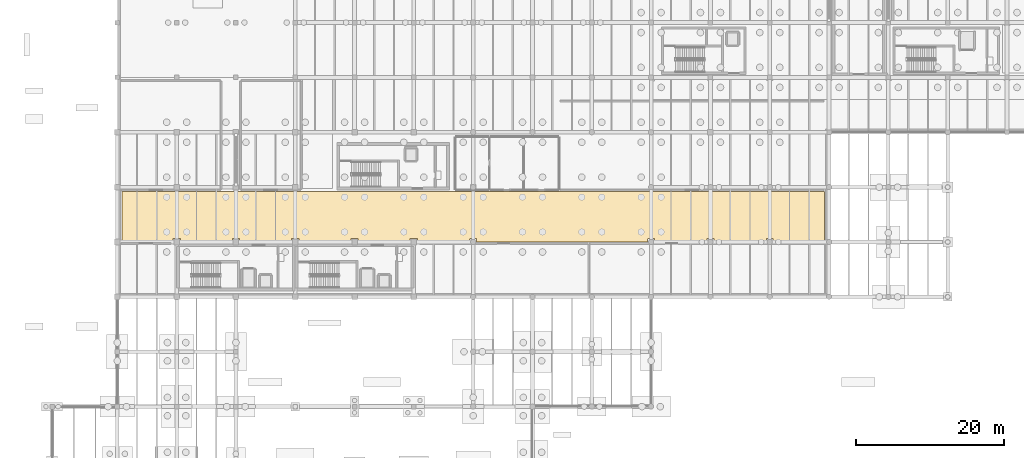
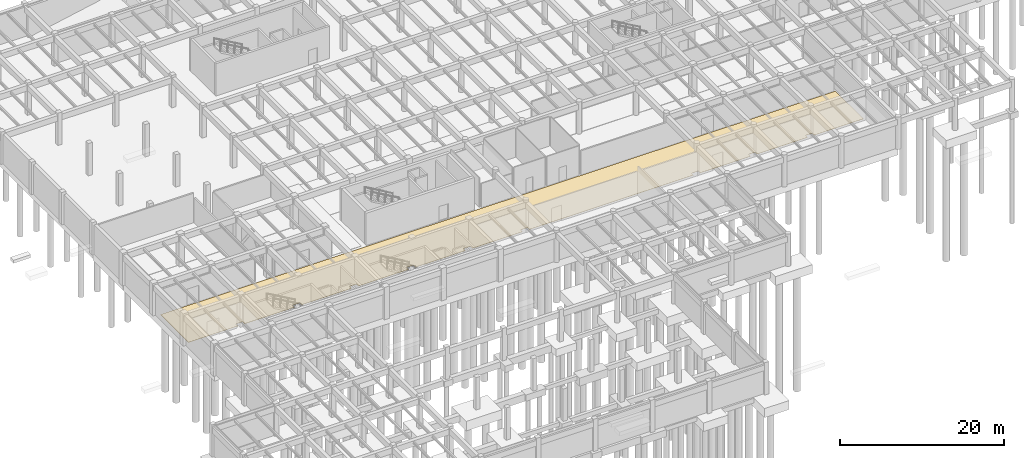
# One storey, part 30 of 40: 1 covering.
"""IFC4 building model written with IfcOpenShell, lengths in metres."""

import ifcopenshell
import ifcopenshell.guid

model = None  # the IFC model being written
_history = None  # IfcOwnerHistory: only IFC2X3 demands one
_inside = {}  # id of a spatial element -> (the spatial element, [elements in it])
_under = {}  # id of a project, library or spatial element -> (it, [spatial elements below it])
_declared = {}  # id of a project -> (the project, [libraries it declares])
_typed = {}  # id of a type object -> (the type object, [elements of that type])
_made_of = {}  # id of a material, layer set ... -> (it, [elements and type objects made of it])


def new_model(schema):
    """Start an empty IFC model of exactly this schema.

    Asked for "IFC4X3", IfcOpenShell would pick the latest addendum, in which some entities
    have other attributes; the version numbers below select the first issue.
    IFC2X3 requires an IfcOwnerHistory on every rooted entity: one is made here for all.
    """
    global model, _history
    if schema == "IFC4X3":
        model = ifcopenshell.file(schema_version=(4, 3, 0, 0))
    else:
        model = ifcopenshell.file(schema=schema)
    _inside.clear()
    _under.clear()
    _declared.clear()
    _typed.clear()
    _made_of.clear()
    _history = None
    if model.schema == "IFC2X3":
        org = make("IfcOrganization", Name="unknown")
        user = make(
            "IfcPersonAndOrganization",
            ThePerson=make("IfcPerson", FamilyName="unknown"),
            TheOrganization=org,
        )
        app = make(
            "IfcApplication",
            ApplicationDeveloper=org,
            Version="unknown",
            ApplicationFullName="unknown",
            ApplicationIdentifier="unknown",
        )
        _history = make(
            "IfcOwnerHistory",
            OwningUser=user,
            OwningApplication=app,
            ChangeAction="ADDED",
            CreationDate=0,
        )
    return model


def make(cls, **values):
    """One entity of the class cls with the attributes given. An attribute that is None is left unset."""
    return model.create_entity(
        cls, **{name: value for name, value in values.items() if value is not None}
    )


def rooted(cls, **values):
    """An entity with a GlobalId (a new one), such as an element, a storey or a relation."""
    return make(cls, GlobalId=ifcopenshell.guid.new(), OwnerHistory=_history, **values)


def si_unit(unit_type, name, prefix=None):
    """IfcSIUnit, for example si_unit("LENGTHUNIT", "METRE", prefix="MILLI")."""
    return make("IfcSIUnit", UnitType=unit_type, Prefix=prefix, Name=name)


def assignment(units):
    """IfcUnitAssignment: the units of a project."""
    return None if units is None else make("IfcUnitAssignment", Units=units)


def point(xyz):
    """IfcCartesianPoint."""
    return None if xyz is None else make("IfcCartesianPoint", Coordinates=xyz)


def direction(xyz):
    """IfcDirection."""
    return None if xyz is None else make("IfcDirection", DirectionRatios=xyz)


def frame(location, z_axis=None, x_axis=None):
    """IfcAxis2Placement3D, a coordinate frame: its origin and axes. An axis left out is left unset."""
    return make(
        "IfcAxis2Placement3D",
        Location=point(location),
        Axis=direction(z_axis),
        RefDirection=direction(x_axis),
    )


def origin():
    """The frame at (0, 0, 0) with its axes left unset."""
    return frame((0.0, 0.0, 0.0))


def place(relative_to, where):
    """IfcLocalPlacement: puts the frame where relative to a parent placement (None: the world)."""
    return make(
        "IfcLocalPlacement", PlacementRelTo=relative_to, RelativePlacement=where
    )


def context(
    kind, dimensions, precision=None, world=None, true_north=None, identifier=None
):
    """IfcGeometricRepresentationContext, for example the 3D "Model" context."""
    return make(
        "IfcGeometricRepresentationContext",
        ContextIdentifier=identifier,
        ContextType=kind,
        CoordinateSpaceDimension=dimensions,
        Precision=precision,
        WorldCoordinateSystem=world,
        TrueNorth=true_north,
    )


def subcontext(parent, identifier, kind, view, scale=None):
    """IfcGeometricRepresentationSubContext, for example "Body" below "Model"."""
    return make(
        "IfcGeometricRepresentationSubContext",
        ContextIdentifier=identifier,
        ContextType=kind,
        ParentContext=parent,
        TargetScale=scale,
        TargetView=view,
    )


def project(units=None, contexts=None):
    """IfcProject with its units and contexts."""
    return rooted(
        "IfcProject",
        Name="project",
        RepresentationContexts=contexts,
        UnitsInContext=assignment(units),
    )


def spatial(cls, under=None, at=None, **own):
    """A site, building, storey or space (cls), placed at a placement, below another one or the project."""
    s = rooted(cls, ObjectPlacement=at, **own)
    if under is not None:
        _under.setdefault(under.id(), (under, []))[1].append(s)
    return s


def polyline(points):
    """IfcPolyline through the points."""
    return make("IfcPolyline", Points=[point(p) for p in points])


def outline(outer, holes=None, kind="AREA"):
    """IfcArbitraryClosedProfileDef: a profile drawn as a closed curve; with holes, ...WithVoids."""
    if holes is None:
        return make("IfcArbitraryClosedProfileDef", ProfileType=kind, OuterCurve=outer)
    return make(
        "IfcArbitraryProfileDefWithVoids",
        ProfileType=kind,
        OuterCurve=outer,
        InnerCurves=holes,
    )


def extrude(swept, where, along, depth):
    """IfcExtrudedAreaSolid: the profile swept, set in the frame where, extruded along a direction by depth."""
    return make(
        "IfcExtrudedAreaSolid",
        SweptArea=swept,
        Position=where,
        ExtrudedDirection=direction(along),
        Depth=depth,
    )


def shape(context_of_items, identifier, shape_type, items):
    """IfcShapeRepresentation: the items that make up one representation, for example the "Body"."""
    return make(
        "IfcShapeRepresentation",
        ContextOfItems=context_of_items,
        RepresentationIdentifier=identifier,
        RepresentationType=shape_type,
        Items=items,
    )


def material(Name=None, Category=None):
    """IfcMaterial."""
    return make("IfcMaterial", Name=Name, Category=Category)


def layer(
    of_material, thickness, ventilated=None, Name=None, Category=None, Priority=None
):
    """IfcMaterialLayer: one layer of a wall or slab, of a material (None: an air gap)."""
    return make(
        "IfcMaterialLayer",
        Material=of_material,
        LayerThickness=thickness,
        IsVentilated=ventilated,
        Name=Name,
        Category=Category,
        Priority=Priority,
    )


def layer_set(layers, Name=None):
    """IfcMaterialLayerSet."""
    return make("IfcMaterialLayerSet", MaterialLayers=layers, LayerSetName=Name)


def made_of(thing, what):
    """Note that an element or type object is made of a material, layer set ...; save() writes the relation."""
    if what is not None:
        _made_of.setdefault(what.id(), (what, []))[1].append(thing)
    return thing


def type_object(cls, material=None, **own):
    """A type object (cls), such as IfcWallType, which elements share."""
    return made_of(rooted(cls, **own), material)


def element(
    cls,
    number,
    at=None,
    inside=None,
    cuts=None,
    type_object=None,
    material=None,
    context=None,
    identifier="Body",
    shape_type=None,
    held_by="IfcProductDefinitionShape",
    body=None,
    shapes=None,
    **own,
):
    """One element of the class cls, such as IfcWall. Its Tag is "e" and its number.

    at: its placement. inside: the storey or other place that contains it. cuts: it is an
    opening in that element (IfcRelVoidsElement). A single representation is given by context,
    identifier, shape_type and body (its items); several are given by shapes. held_by: the class
    of the entity that holds the representations. save() writes the other relations.
    """
    e = rooted(cls, Tag="e%d" % number, ObjectPlacement=at, **own)
    if body is not None:
        shapes = [shape(context, identifier, shape_type, body)]
    if shapes is not None:
        e.Representation = make(held_by, Representations=shapes)
    if inside is not None:
        _inside.setdefault(inside.id(), (inside, []))[1].append(e)
    if cuts is not None:
        rooted(
            "IfcRelVoidsElement", RelatingBuildingElement=cuts, RelatedOpeningElement=e
        )
    if type_object is not None:
        _typed.setdefault(type_object.id(), (type_object, []))[1].append(e)
    return made_of(e, material)


def aggregate(whole, parts):
    """IfcRelAggregates: a whole, such as a stair, and the parts it consists of."""
    return rooted("IfcRelAggregates", RelatingObject=whole, RelatedObjects=parts)


def save(model, path):
    """Write the relations noted so far, then the file.

    IfcRelAggregates (storeys below a building ...), IfcRelContainedInSpatialStructure (elements
    in a storey), IfcRelDefinesByType, IfcRelAssociatesMaterial and IfcRelDeclares: one each for
    every whole, place, type object, material and project.
    """
    for whole, parts in _under.values():
        aggregate(whole, parts)
    for where, things in _inside.values():
        rooted(
            "IfcRelContainedInSpatialStructure",
            RelatedElements=things,
            RelatingStructure=where,
        )
    for kind, things in _typed.values():
        rooted("IfcRelDefinesByType", RelatedObjects=things, RelatingType=kind)
    for what, things in _made_of.values():
        rooted("IfcRelAssociatesMaterial", RelatedObjects=things, RelatingMaterial=what)
    for by, libraries in _declared.values():
        rooted("IfcRelDeclares", RelatingContext=by, RelatedDefinitions=libraries)
    model.write(path)


model = new_model("IFC4")

# Units and contexts
model_context = context("Model", 3, precision=1e-05, world=origin(), true_north=direction((0.0, 1.0)))
body_context = subcontext(model_context, "Body", "Model", "MODEL_VIEW")
ifc_project = project(units=[si_unit("LENGTHUNIT", "METRE"), si_unit("AREAUNIT", "SQUARE_METRE"), si_unit("VOLUMEUNIT", "CUBIC_METRE"), si_unit("PLANEANGLEUNIT", "RADIAN"), si_unit("MASSUNIT", "GRAM", prefix="KILO")], contexts=[model_context])

# Site, building, storey
site_placement = place(None, origin())
site = spatial("IfcSite", under=ifc_project, at=site_placement, CompositionType="ELEMENT")
building_placement = place(site_placement, origin())
building = spatial("IfcBuilding", under=site, at=building_placement, Name="Valkorina Park Police Headquarters", CompositionType="ELEMENT")
storey_placement = place(building_placement, frame((0.0, 0.0, -4.800048828125)))
storey = spatial("IfcBuildingStorey", under=building, at=storey_placement, Name="B01", CompositionType="ELEMENT", Elevation=-4.800048828125)

# Covering
ifc_material = material(Name="Resin terrazzo flooring")
ifc_layer = layer(ifc_material, 0.030029296875)
ifc_layer_set = layer_set([ifc_layer], Name="Resin terrazzo flooring")
covering_type = type_object("IfcCoveringType", Name="COV-FLOOR-TERRAZZO", PredefinedType="FLOORING", material=ifc_layer_set)
covering_placement = place(storey_placement, origin())
element("IfcCovering", 1, at=covering_placement, inside=storey, type_object=covering_type, Name="Basement Spine Circulation Corridor Terrazzo Flooring", PredefinedType="FLOORING", context=body_context, shape_type="SweptSolid", body=[
    extrude(outline(polyline([(104.199951171875, 51.199951171875), (9.39990234375, 51.199951171875), (9.39990234375, 44.39990234375), (16.304931640625, 44.39990234375), (16.304931640625, 44.81494140625), (16.305419921875, 44.82275390625), (16.306396484375, 44.83056640625), (16.308349609375, 44.838134765625), (16.31103515625, 44.845703125), (16.314453125, 44.852783203125), (16.318603515625, 44.859375), (16.3232421875, 44.86572265625), (16.328369140625, 44.87158203125), (16.334228515625, 44.876708984375), (16.340576171875, 44.881591796875), (16.347412109375, 44.885498046875), (16.3544921875, 44.888916015625), (16.36181640625, 44.8916015625), (16.369384765625, 44.8935546875), (16.377197265625, 44.89453125), (16.385009765625, 44.89501953125), (17.215087890625, 44.89501953125), (17.222900390625, 44.89453125), (17.230712890625, 44.8935546875), (17.23828125, 44.8916015625), (17.24560546875, 44.888916015625), (17.252685546875, 44.885498046875), (17.259521484375, 44.881591796875), (17.265869140625, 44.876708984375), (17.271484375, 44.87158203125), (17.27685546875, 44.86572265625), (17.281494140625, 44.859375), (17.28564453125, 44.852783203125), (17.288818359375, 44.845703125), (17.29150390625, 44.838134765625), (17.29345703125, 44.83056640625), (17.294677734375, 44.82275390625), (17.294921875, 44.81494140625), (17.294921875, 44.39990234375), (24.304931640625, 44.39990234375), (24.304931640625, 44.81494140625), (24.305419921875, 44.82275390625), (24.306396484375, 44.83056640625), (24.308349609375, 44.838134765625), (24.31103515625, 44.845703125), (24.314453125, 44.852783203125), (24.318603515625, 44.859375), (24.3232421875, 44.86572265625), (24.328369140625, 44.87158203125), (24.334228515625, 44.876708984375), (24.340576171875, 44.881591796875), (24.347412109375, 44.885498046875), (24.3544921875, 44.888916015625), (24.36181640625, 44.8916015625), (24.369384765625, 44.8935546875), (24.377197265625, 44.89453125), (24.385009765625, 44.89501953125), (25.215087890625, 44.89501953125), (25.222900390625, 44.89453125), (25.230712890625, 44.8935546875), (25.23828125, 44.8916015625), (25.24560546875, 44.888916015625), (25.252685546875, 44.885498046875), (25.259521484375, 44.881591796875), (25.265869140625, 44.876708984375), (25.271484375, 44.87158203125), (25.27685546875, 44.86572265625), (25.281494140625, 44.859375), (25.28564453125, 44.852783203125), (25.288818359375, 44.845703125), (25.29150390625, 44.838134765625), (25.29345703125, 44.83056640625), (25.294677734375, 44.82275390625), (25.294921875, 44.81494140625), (25.294921875, 44.39990234375), (32.304931640625, 44.39990234375), (32.304931640625, 44.81494140625), (32.305419921875, 44.82275390625), (32.306396484375, 44.83056640625), (32.308349609375, 44.838134765625), (32.31103515625, 44.845703125), (32.314453125, 44.852783203125), (32.318603515625, 44.859375), (32.3232421875, 44.86572265625), (32.328369140625, 44.87158203125), (32.334228515625, 44.876708984375), (32.340576171875, 44.881591796875), (32.347412109375, 44.885498046875), (32.3544921875, 44.888916015625), (32.36181640625, 44.8916015625), (32.369384765625, 44.8935546875), (32.377197265625, 44.89453125), (32.385009765625, 44.89501953125), (33.215087890625, 44.89501953125), (33.222900390625, 44.89453125), (33.230712890625, 44.8935546875), (33.23828125, 44.8916015625), (33.24560546875, 44.888916015625), (33.252685546875, 44.885498046875), (33.259521484375, 44.881591796875), (33.265869140625, 44.876708984375), (33.271484375, 44.87158203125), (33.27685546875, 44.86572265625), (33.281494140625, 44.859375), (33.28564453125, 44.852783203125), (33.288818359375, 44.845703125), (33.29150390625, 44.838134765625), (33.29345703125, 44.83056640625), (33.294677734375, 44.82275390625), (33.294921875, 44.81494140625), (33.294921875, 44.39990234375), (40.304931640625, 44.39990234375), (40.304931640625, 44.81494140625), (40.305419921875, 44.82275390625), (40.306396484375, 44.83056640625), (40.308349609375, 44.838134765625), (40.31103515625, 44.845703125), (40.314453125, 44.852783203125), (40.318603515625, 44.859375), (40.3232421875, 44.86572265625), (40.328369140625, 44.87158203125), (40.334228515625, 44.876708984375), (40.340576171875, 44.881591796875), (40.347412109375, 44.885498046875), (40.3544921875, 44.888916015625), (40.36181640625, 44.8916015625), (40.369384765625, 44.8935546875), (40.377197265625, 44.89453125), (40.385009765625, 44.89501953125), (41.215087890625, 44.89501953125), (41.222900390625, 44.89453125), (41.230712890625, 44.8935546875), (41.23828125, 44.8916015625), (41.24560546875, 44.888916015625), (41.252685546875, 44.885498046875), (41.259521484375, 44.881591796875), (41.265869140625, 44.876708984375), (41.271484375, 44.87158203125), (41.27685546875, 44.86572265625), (41.281494140625, 44.859375), (41.28564453125, 44.852783203125), (41.288818359375, 44.845703125), (41.29150390625, 44.838134765625), (41.29345703125, 44.83056640625), (41.294677734375, 44.82275390625), (41.294921875, 44.81494140625), (41.294921875, 44.39990234375), (48.304931640625, 44.39990234375), (48.304931640625, 44.81494140625), (48.305419921875, 44.82275390625), (48.306396484375, 44.83056640625), (48.308349609375, 44.838134765625), (48.31103515625, 44.845703125), (48.314453125, 44.852783203125), (48.318603515625, 44.859375), (48.3232421875, 44.86572265625), (48.328369140625, 44.87158203125), (48.334228515625, 44.876708984375), (48.340576171875, 44.881591796875), (48.347412109375, 44.885498046875), (48.3544921875, 44.888916015625), (48.36181640625, 44.8916015625), (48.369384765625, 44.8935546875), (48.377197265625, 44.89453125), (48.385009765625, 44.89501953125), (49.215087890625, 44.89501953125), (49.222900390625, 44.89453125), (49.230712890625, 44.8935546875), (49.23828125, 44.8916015625), (49.24560546875, 44.888916015625), (49.252685546875, 44.885498046875), (49.259521484375, 44.881591796875), (49.265869140625, 44.876708984375), (49.271484375, 44.87158203125), (49.27685546875, 44.86572265625), (49.281494140625, 44.859375), (49.28564453125, 44.852783203125), (49.288818359375, 44.845703125), (49.29150390625, 44.838134765625), (49.29345703125, 44.83056640625), (49.294677734375, 44.82275390625), (49.294921875, 44.81494140625), (49.294921875, 44.39990234375), (56.330078125, 44.39990234375), (56.330078125, 44.7900390625), (56.330322265625, 44.7978515625), (56.33154296875, 44.8056640625), (56.33349609375, 44.813232421875), (56.336181640625, 44.820556640625), (56.33935546875, 44.82763671875), (56.343505859375, 44.83447265625), (56.34814453125, 44.8408203125), (56.353515625, 44.8466796875), (56.359130859375, 44.851806640625), (56.365478515625, 44.8564453125), (56.372314453125, 44.860595703125), (56.37939453125, 44.864013671875), (56.38671875, 44.86669921875), (56.394287109375, 44.868408203125), (56.402099609375, 44.86962890625), (56.409912109375, 44.8701171875), (57.18994140625, 44.8701171875), (57.19775390625, 44.86962890625), (57.20556640625, 44.868408203125), (57.213134765625, 44.86669921875), (57.220703125, 44.864013671875), (57.227783203125, 44.860595703125), (57.234375, 44.8564453125), (57.24072265625, 44.851806640625), (57.24658203125, 44.8466796875), (57.251708984375, 44.8408203125), (57.256591796875, 44.83447265625), (57.260498046875, 44.82763671875), (57.263916015625, 44.820556640625), (57.2666015625, 44.813232421875), (57.2685546875, 44.8056640625), (57.26953125, 44.7978515625), (57.27001953125, 44.7900390625), (57.27001953125, 44.39990234375), (80.330078125, 44.39990234375), (80.330078125, 44.7900390625), (80.330322265625, 44.7978515625), (80.33154296875, 44.8056640625), (80.33349609375, 44.813232421875), (80.336181640625, 44.820556640625), (80.33935546875, 44.82763671875), (80.343505859375, 44.83447265625), (80.34814453125, 44.8408203125), (80.353515625, 44.8466796875), (80.359130859375, 44.851806640625), (80.365478515625, 44.8564453125), (80.372314453125, 44.860595703125), (80.37939453125, 44.864013671875), (80.38671875, 44.86669921875), (80.394287109375, 44.868408203125), (80.402099609375, 44.86962890625), (80.409912109375, 44.8701171875), (81.18994140625, 44.8701171875), (81.19775390625, 44.86962890625), (81.20556640625, 44.868408203125), (81.213134765625, 44.86669921875), (81.220703125, 44.864013671875), (81.227783203125, 44.860595703125), (81.234375, 44.8564453125), (81.24072265625, 44.851806640625), (81.24658203125, 44.8466796875), (81.251708984375, 44.8408203125), (81.256591796875, 44.83447265625), (81.260498046875, 44.82763671875), (81.263916015625, 44.820556640625), (81.2666015625, 44.813232421875), (81.2685546875, 44.8056640625), (81.26953125, 44.7978515625), (81.27001953125, 44.7900390625), (81.27001953125, 44.39990234375), (88.330078125, 44.39990234375), (88.330078125, 44.7900390625), (88.330322265625, 44.7978515625), (88.33154296875, 44.8056640625), (88.33349609375, 44.813232421875), (88.336181640625, 44.820556640625), (88.33935546875, 44.82763671875), (88.343505859375, 44.83447265625), (88.34814453125, 44.8408203125), (88.353515625, 44.8466796875), (88.359130859375, 44.851806640625), (88.365478515625, 44.8564453125), (88.372314453125, 44.860595703125), (88.37939453125, 44.864013671875), (88.38671875, 44.86669921875), (88.394287109375, 44.868408203125), (88.402099609375, 44.86962890625), (88.409912109375, 44.8701171875), (89.18994140625, 44.8701171875), (89.19775390625, 44.86962890625), (89.20556640625, 44.868408203125), (89.213134765625, 44.86669921875), (89.220703125, 44.864013671875), (89.227783203125, 44.860595703125), (89.234375, 44.8564453125), (89.24072265625, 44.851806640625), (89.24658203125, 44.8466796875), (89.251708984375, 44.8408203125), (89.256591796875, 44.83447265625), (89.260498046875, 44.82763671875), (89.263916015625, 44.820556640625), (89.2666015625, 44.813232421875), (89.2685546875, 44.8056640625), (89.26953125, 44.7978515625), (89.27001953125, 44.7900390625), (89.27001953125, 44.39990234375), (96.330078125, 44.39990234375), (96.330078125, 44.7900390625), (96.330322265625, 44.7978515625), (96.33154296875, 44.8056640625), (96.33349609375, 44.813232421875), (96.336181640625, 44.820556640625), (96.33935546875, 44.82763671875), (96.343505859375, 44.83447265625), (96.34814453125, 44.8408203125), (96.353515625, 44.8466796875), (96.359130859375, 44.851806640625), (96.365478515625, 44.8564453125), (96.372314453125, 44.860595703125), (96.37939453125, 44.864013671875), (96.38671875, 44.86669921875), (96.394287109375, 44.868408203125), (96.402099609375, 44.86962890625), (96.409912109375, 44.8701171875), (97.18994140625, 44.8701171875), (97.19775390625, 44.86962890625), (97.20556640625, 44.868408203125), (97.213134765625, 44.86669921875), (97.220703125, 44.864013671875), (97.227783203125, 44.860595703125), (97.234375, 44.8564453125), (97.24072265625, 44.851806640625), (97.24658203125, 44.8466796875), (97.251708984375, 44.8408203125), (97.256591796875, 44.83447265625), (97.260498046875, 44.82763671875), (97.263916015625, 44.820556640625), (97.2666015625, 44.813232421875), (97.2685546875, 44.8056640625), (97.26953125, 44.7978515625), (97.27001953125, 44.7900390625), (97.27001953125, 44.39990234375), (104.199951171875, 44.39990234375), (104.199951171875, 51.199951171875)])), origin(), (0.0, 0.0, 1.0), 0.030029296875),
])

save(model, "model.ifc")
